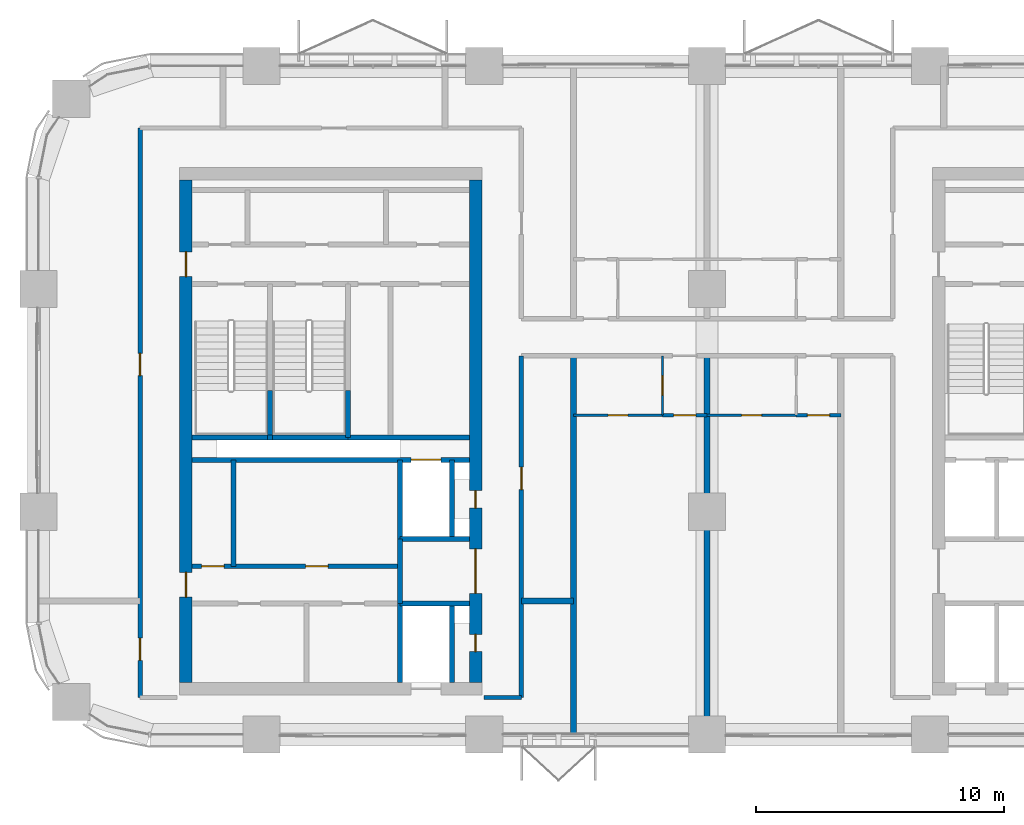
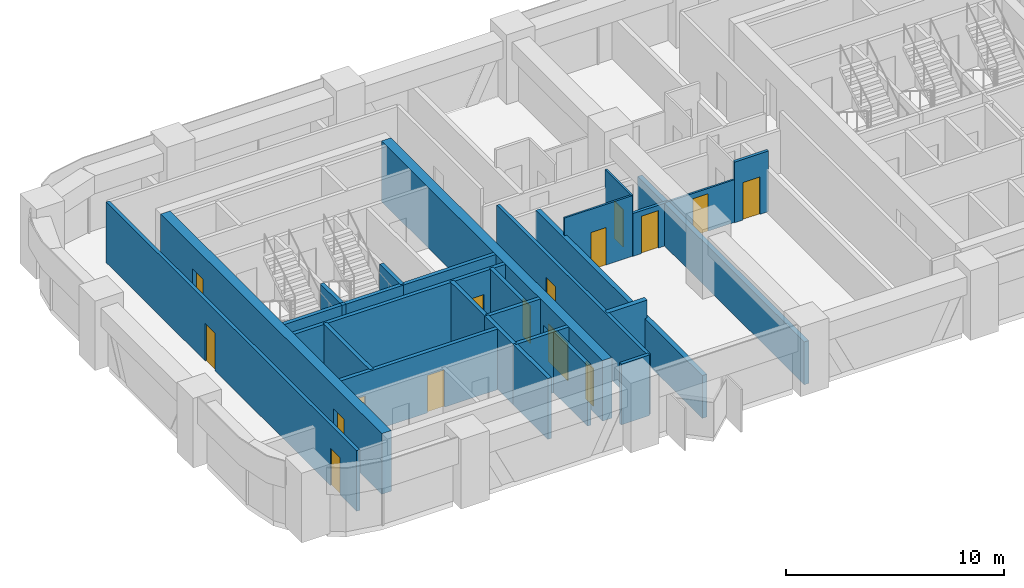
# One storey, part 8 of 14: 29 walls, 16 doors, 16 openings.
"""IFC4 building model written with IfcOpenShell, lengths in metres."""

import ifcopenshell
import ifcopenshell.guid

model = None  # the IFC model being written
_history = None  # IfcOwnerHistory: only IFC2X3 demands one
_inside = {}  # id of a spatial element -> (the spatial element, [elements in it])
_under = {}  # id of a project, library or spatial element -> (it, [spatial elements below it])
_declared = {}  # id of a project -> (the project, [libraries it declares])
_typed = {}  # id of a type object -> (the type object, [elements of that type])
_made_of = {}  # id of a material, layer set ... -> (it, [elements and type objects made of it])


def new_model(schema):
    """Start an empty IFC model of exactly this schema.

    Asked for "IFC4X3", IfcOpenShell would pick the latest addendum, in which some entities
    have other attributes; the version numbers below select the first issue.
    IFC2X3 requires an IfcOwnerHistory on every rooted entity: one is made here for all.
    """
    global model, _history
    if schema == "IFC4X3":
        model = ifcopenshell.file(schema_version=(4, 3, 0, 0))
    else:
        model = ifcopenshell.file(schema=schema)
    _inside.clear()
    _under.clear()
    _declared.clear()
    _typed.clear()
    _made_of.clear()
    _history = None
    if model.schema == "IFC2X3":
        org = make("IfcOrganization", Name="unknown")
        user = make(
            "IfcPersonAndOrganization",
            ThePerson=make("IfcPerson", FamilyName="unknown"),
            TheOrganization=org,
        )
        app = make(
            "IfcApplication",
            ApplicationDeveloper=org,
            Version="unknown",
            ApplicationFullName="unknown",
            ApplicationIdentifier="unknown",
        )
        _history = make(
            "IfcOwnerHistory",
            OwningUser=user,
            OwningApplication=app,
            ChangeAction="ADDED",
            CreationDate=0,
        )
    return model


def make(cls, **values):
    """One entity of the class cls with the attributes given. An attribute that is None is left unset."""
    return model.create_entity(
        cls, **{name: value for name, value in values.items() if value is not None}
    )


def rooted(cls, **values):
    """An entity with a GlobalId (a new one), such as an element, a storey or a relation."""
    return make(cls, GlobalId=ifcopenshell.guid.new(), OwnerHistory=_history, **values)


def si_unit(unit_type, name, prefix=None):
    """IfcSIUnit, for example si_unit("LENGTHUNIT", "METRE", prefix="MILLI")."""
    return make("IfcSIUnit", UnitType=unit_type, Prefix=prefix, Name=name)


def assignment(units):
    """IfcUnitAssignment: the units of a project."""
    return None if units is None else make("IfcUnitAssignment", Units=units)


def point(xyz):
    """IfcCartesianPoint."""
    return None if xyz is None else make("IfcCartesianPoint", Coordinates=xyz)


def direction(xyz):
    """IfcDirection."""
    return None if xyz is None else make("IfcDirection", DirectionRatios=xyz)


def frame(location, z_axis=None, x_axis=None):
    """IfcAxis2Placement3D, a coordinate frame: its origin and axes. An axis left out is left unset."""
    return make(
        "IfcAxis2Placement3D",
        Location=point(location),
        Axis=direction(z_axis),
        RefDirection=direction(x_axis),
    )


def frame_2d(location, x_axis=None):
    """IfcAxis2Placement2D, a coordinate frame in the plane: its origin and x axis."""
    return make(
        "IfcAxis2Placement2D", Location=point(location), RefDirection=direction(x_axis)
    )


def origin():
    """The frame at (0, 0, 0) with its axes left unset."""
    return frame((0.0, 0.0, 0.0))


def place(relative_to, where):
    """IfcLocalPlacement: puts the frame where relative to a parent placement (None: the world)."""
    return make(
        "IfcLocalPlacement", PlacementRelTo=relative_to, RelativePlacement=where
    )


def context(
    kind, dimensions, precision=None, world=None, true_north=None, identifier=None
):
    """IfcGeometricRepresentationContext, for example the 3D "Model" context."""
    return make(
        "IfcGeometricRepresentationContext",
        ContextIdentifier=identifier,
        ContextType=kind,
        CoordinateSpaceDimension=dimensions,
        Precision=precision,
        WorldCoordinateSystem=world,
        TrueNorth=true_north,
    )


def subcontext(parent, identifier, kind, view, scale=None):
    """IfcGeometricRepresentationSubContext, for example "Body" below "Model"."""
    return make(
        "IfcGeometricRepresentationSubContext",
        ContextIdentifier=identifier,
        ContextType=kind,
        ParentContext=parent,
        TargetScale=scale,
        TargetView=view,
    )


def project(units=None, contexts=None):
    """IfcProject with its units and contexts."""
    return rooted(
        "IfcProject",
        Name="project",
        RepresentationContexts=contexts,
        UnitsInContext=assignment(units),
    )


def spatial(cls, under=None, at=None, **own):
    """A site, building, storey or space (cls), placed at a placement, below another one or the project."""
    s = rooted(cls, ObjectPlacement=at, **own)
    if under is not None:
        _under.setdefault(under.id(), (under, []))[1].append(s)
    return s


def profile(cls, at=None, kind="AREA", **sizes):
    """A parametric profile (cls). Its sizes go by their IFC names, for example OverallWidth=200.0."""
    return make(cls, ProfileType=kind, Position=at, **sizes)


def rectangle(**sizes):
    """IfcRectangleProfileDef."""
    return profile("IfcRectangleProfileDef", **sizes)


def extrude(swept, where, along, depth):
    """IfcExtrudedAreaSolid: the profile swept, set in the frame where, extruded along a direction by depth."""
    return make(
        "IfcExtrudedAreaSolid",
        SweptArea=swept,
        Position=where,
        ExtrudedDirection=direction(along),
        Depth=depth,
    )


def shape(context_of_items, identifier, shape_type, items):
    """IfcShapeRepresentation: the items that make up one representation, for example the "Body"."""
    return make(
        "IfcShapeRepresentation",
        ContextOfItems=context_of_items,
        RepresentationIdentifier=identifier,
        RepresentationType=shape_type,
        Items=items,
    )


def material(Name=None, Category=None):
    """IfcMaterial."""
    return make("IfcMaterial", Name=Name, Category=Category)


def layer(
    of_material, thickness, ventilated=None, Name=None, Category=None, Priority=None
):
    """IfcMaterialLayer: one layer of a wall or slab, of a material (None: an air gap)."""
    return make(
        "IfcMaterialLayer",
        Material=of_material,
        LayerThickness=thickness,
        IsVentilated=ventilated,
        Name=Name,
        Category=Category,
        Priority=Priority,
    )


def layer_set(layers, Name=None):
    """IfcMaterialLayerSet."""
    return make("IfcMaterialLayerSet", MaterialLayers=layers, LayerSetName=Name)


def made_of(thing, what):
    """Note that an element or type object is made of a material, layer set ...; save() writes the relation."""
    if what is not None:
        _made_of.setdefault(what.id(), (what, []))[1].append(thing)
    return thing


def type_object(cls, material=None, **own):
    """A type object (cls), such as IfcWallType, which elements share."""
    return made_of(rooted(cls, **own), material)


def element(
    cls,
    number,
    at=None,
    inside=None,
    cuts=None,
    type_object=None,
    material=None,
    context=None,
    identifier="Body",
    shape_type=None,
    held_by="IfcProductDefinitionShape",
    body=None,
    shapes=None,
    **own,
):
    """One element of the class cls, such as IfcWall. Its Tag is "e" and its number.

    at: its placement. inside: the storey or other place that contains it. cuts: it is an
    opening in that element (IfcRelVoidsElement). A single representation is given by context,
    identifier, shape_type and body (its items); several are given by shapes. held_by: the class
    of the entity that holds the representations. save() writes the other relations.
    """
    e = rooted(cls, Tag="e%d" % number, ObjectPlacement=at, **own)
    if body is not None:
        shapes = [shape(context, identifier, shape_type, body)]
    if shapes is not None:
        e.Representation = make(held_by, Representations=shapes)
    if inside is not None:
        _inside.setdefault(inside.id(), (inside, []))[1].append(e)
    if cuts is not None:
        rooted(
            "IfcRelVoidsElement", RelatingBuildingElement=cuts, RelatedOpeningElement=e
        )
    if type_object is not None:
        _typed.setdefault(type_object.id(), (type_object, []))[1].append(e)
    return made_of(e, material)


def fill(opening, filler):
    """IfcRelFillsElement: the door or window that sits in an opening."""
    return rooted(
        "IfcRelFillsElement",
        RelatingOpeningElement=opening,
        RelatedBuildingElement=filler,
    )


def aggregate(whole, parts):
    """IfcRelAggregates: a whole, such as a stair, and the parts it consists of."""
    return rooted("IfcRelAggregates", RelatingObject=whole, RelatedObjects=parts)


def save(model, path):
    """Write the relations noted so far, then the file.

    IfcRelAggregates (storeys below a building ...), IfcRelContainedInSpatialStructure (elements
    in a storey), IfcRelDefinesByType, IfcRelAssociatesMaterial and IfcRelDeclares: one each for
    every whole, place, type object, material and project.
    """
    for whole, parts in _under.values():
        aggregate(whole, parts)
    for where, things in _inside.values():
        rooted(
            "IfcRelContainedInSpatialStructure",
            RelatedElements=things,
            RelatingStructure=where,
        )
    for kind, things in _typed.values():
        rooted("IfcRelDefinesByType", RelatedObjects=things, RelatingType=kind)
    for what, things in _made_of.values():
        rooted("IfcRelAssociatesMaterial", RelatedObjects=things, RelatingMaterial=what)
    for by, libraries in _declared.values():
        rooted("IfcRelDeclares", RelatingContext=by, RelatedDefinitions=libraries)
    model.write(path)


model = new_model("IFC4")

# Units and contexts
model_context = context("Model", 3, precision=1e-05, world=origin(), true_north=direction((0.0, 1.0)))
body_context = subcontext(model_context, "Body", "Model", "MODEL_VIEW")
ifc_project = project(units=[si_unit("LENGTHUNIT", "METRE"), si_unit("AREAUNIT", "SQUARE_METRE"), si_unit("VOLUMEUNIT", "CUBIC_METRE"), si_unit("PLANEANGLEUNIT", "RADIAN"), si_unit("MASSUNIT", "GRAM", prefix="KILO")], contexts=[model_context])

# Site, building, storey
site_placement = place(None, origin())
site = spatial("IfcSite", under=ifc_project, at=site_placement, CompositionType="ELEMENT")
building_placement = place(site_placement, origin())
building = spatial("IfcBuilding", under=site, at=building_placement, Name="Tessera Arch", CompositionType="ELEMENT")
storey_placement = place(building_placement, frame((0.0, 0.0, 193.39990234375)))
storey = spatial("IfcBuildingStorey", under=building, at=storey_placement, Name="L46", CompositionType="ELEMENT", Elevation=193.39990234375)

# Walls
ifc_material_1 = material(Name="Gypsum board on steel stud", Category="steel")
ifc_layer_1 = layer(ifc_material_1, 0.125)
ifc_layer_set_1 = layer_set([ifc_layer_1], Name="Core partition 125 EI 60")
wall_type_1 = type_object("IfcWallType", Name="Core partition 125 EI 60", PredefinedType="PARTITIONING", material=ifc_layer_set_1)
wall_1_placement = place(storey_placement, frame((7.8798828125, 33.800048828125, 0.0), z_axis=(0.0, 0.0, 1.0), x_axis=(0.0, 1.0, 0.0)))
element("IfcWall", 1, at=wall_1_placement, inside=storey, type_object=wall_type_1, Name="L46 C2 partition wall 1", PredefinedType="PARTITIONING", context=body_context, shape_type="SweptSolid", body=[
    extrude(rectangle(XDim=4.300048828125, YDim=0.199951171875, at=frame_2d((2.14990234375, 0.0))), origin(), (0.0, 0.0, 1.0), 3.400146484375),
])
wall_2_placement = place(storey_placement, frame((14.60009765625, 32.300048828125, 0.0), z_axis=(0.0, 0.0, 1.0), x_axis=(0.0, 1.0, 0.0)))
element("IfcWall", 2, at=wall_2_placement, inside=storey, type_object=wall_type_1, Name="L46 C2 partition wall 10", PredefinedType="PARTITIONING", context=body_context, shape_type="SweptSolid", body=[
    extrude(rectangle(XDim=2.599853515625, YDim=0.199951171875, at=frame_2d((1.2998046875, 0.0))), origin(), (0.0, 0.0, 1.0), 3.400146484375),
])

# Wall, openings, doors
wall_3_placement = place(storey_placement, frame((6.199951171875, 33.800048828125, 0.0), z_axis=(0.0, 0.0, 1.0), x_axis=(1.0, 0.0, 0.0)))
wall_3 = element("IfcWall", 3, at=wall_3_placement, inside=storey, type_object=wall_type_1, Name="L46 C2 partition wall 17", PredefinedType="PARTITIONING", context=body_context, shape_type="SweptSolid", body=[
    extrude(rectangle(XDim=8.400146484375, YDim=0.199951171875, at=frame_2d((4.2001953125, 0.0))), origin(), (0.0, 0.0, 1.0), 3.400146484375),
])
opening_1_placement = place(wall_3_placement, frame((0.389892578125, 0.0, 0.0)))
opening_1 = element("IfcOpeningElement", 4, at=opening_1_placement, cuts=wall_3, Name="Opening L46-C36", PredefinedType="OPENING", context=body_context, shape_type="SweptSolid", body=[
    extrude(rectangle(XDim=0.89990234375, YDim=2.10009765625, at=frame_2d((0.449951171875, 1.050048828125))), frame((0.0, 0.10986328125, 0.0), z_axis=(0.0, -1.0, 0.0), x_axis=(1.0, 0.0, 0.0)), (0.0, 0.0, 1.0), 0.219970703125),
])
opening_2_placement = place(wall_3_placement, frame((4.590087890625, 0.0, 0.0)))
opening_2 = element("IfcOpeningElement", 5, at=opening_2_placement, cuts=wall_3, Name="Opening L46-C37", PredefinedType="OPENING", context=body_context, shape_type="SweptSolid", body=[
    extrude(rectangle(XDim=0.89990234375, YDim=2.10009765625, at=frame_2d((0.449951171875, 1.050048828125))), frame((0.0, 0.10986328125, 0.0), z_axis=(0.0, -1.0, 0.0), x_axis=(1.0, 0.0, 0.0)), (0.0, 0.0, 1.0), 0.219970703125),
])
ifc_material_2 = material(Name="Steel door leaf", Category="steel")
door_type_1 = type_object("IfcDoorType", Name="Store door FD30S 900 x 2100", OperationType="SINGLE_SWING_LEFT", PredefinedType="DOOR", material=ifc_material_2)
door_1_placement = place(opening_1_placement, origin())
door_1 = element("IfcDoor", 6, at=door_1_placement, inside=storey, type_object=door_type_1, Name="L46 C2 door 17 C36 type D09", OperationType="SINGLE_SWING_LEFT", OverallHeight=2.10009765625, OverallWidth=0.89990234375, PredefinedType="DOOR", context=body_context, shape_type="SweptSolid", body=[
    extrude(rectangle(XDim=0.89990234375, YDim=2.10009765625, at=frame_2d((0.449951171875, 1.050048828125))), frame((0.0, 0.02490234375, 0.0), z_axis=(0.0, -1.0, 0.0), x_axis=(1.0, 0.0, 0.0)), (0.0, 0.0, 1.0), 0.050048828125),
])
fill(opening_1, door_1)
door_2_placement = place(opening_2_placement, origin())
door_2 = element("IfcDoor", 7, at=door_2_placement, inside=storey, type_object=door_type_1, Name="L46 C2 door 18 C37 type D09", OperationType="SINGLE_SWING_RIGHT", OverallHeight=2.10009765625, OverallWidth=0.89990234375, PredefinedType="DOOR", context=body_context, shape_type="SweptSolid", body=[
    extrude(rectangle(XDim=0.89990234375, YDim=2.10009765625, at=frame_2d((0.449951171875, 1.050048828125))), frame((0.0, 0.02490234375, 0.0), z_axis=(0.0, -1.0, 0.0), x_axis=(1.0, 0.0, 0.0)), (0.0, 0.0, 1.0), 0.050048828125),
])
fill(opening_2, door_2)

ifc_material_3 = material(Name="Concrete C60/75", Category="concrete")
ifc_layer_2 = layer(ifc_material_3, 0.5)
ifc_layer_set_2 = layer_set([ifc_layer_2], Name="Core shell wall 500 C60-75")
wall_type_2 = type_object("IfcWallType", Name="Core shell wall 500 C60-75", PredefinedType="SHEAR", material=ifc_layer_set_2)
wall_4_placement = place(storey_placement, frame((5.949951171875, 29.10009765625, 0.0), z_axis=(0.0, 0.0, 1.0), x_axis=(0.0, 1.0, 0.0)))
wall_4 = element("IfcWall", 8, at=wall_4_placement, inside=storey, type_object=wall_type_2, Name="L46 C2 core wall W", PredefinedType="SHEAR", context=body_context, shape_type="SweptSolid", body=[
    extrude(rectangle(XDim=20.2998046875, YDim=0.5, at=frame_2d((10.14990234375, 0.0))), origin(), (0.0, 0.0, 1.0), 3.400146484375),
])
opening_3_placement = place(wall_4_placement, frame((3.449951171875, 0.0, 0.0)))
opening_3 = element("IfcOpeningElement", 9, at=opening_3_placement, cuts=wall_4, Name="Opening L46-C27", PredefinedType="OPENING", context=body_context, shape_type="SweptSolid", body=[
    extrude(rectangle(XDim=1.0, YDim=2.10009765625, at=frame_2d((0.5, 1.050048828125))), frame((0.0, 0.260009765625, 0.0), z_axis=(0.0, -1.0, 0.0), x_axis=(1.0, 0.0, 0.0)), (0.0, 0.0, 1.0), 0.52001953125),
])
opening_4_placement = place(wall_4_placement, frame((16.39990234375, 0.0, 0.0)))
opening_4 = element("IfcOpeningElement", 10, at=opening_4_placement, cuts=wall_4, Name="Opening L46-C28", PredefinedType="OPENING", context=body_context, shape_type="SweptSolid", body=[
    extrude(rectangle(XDim=1.0, YDim=2.10009765625, at=frame_2d((0.5, 1.050048828125))), frame((0.0, 0.260009765625, 0.0), z_axis=(0.0, -1.0, 0.0), x_axis=(1.0, 0.0, 0.0)), (0.0, 0.0, 1.0), 0.52001953125),
])
ifc_material_4 = material(Name="Steel door leaf", Category="steel")
door_type_2 = type_object("IfcDoorType", Name="Corridor door FD60 1000 x 2100", OperationType="SINGLE_SWING_LEFT", PredefinedType="DOOR", material=ifc_material_4)
door_3_placement = place(opening_3_placement, origin())
door_3 = element("IfcDoor", 11, at=door_3_placement, inside=storey, type_object=door_type_2, Name="L46 C2 door 8 C27 type D12", OperationType="SINGLE_SWING_LEFT", OverallHeight=2.10009765625, OverallWidth=1.0, PredefinedType="DOOR", context=body_context, shape_type="SweptSolid", body=[
    extrude(rectangle(XDim=1.0, YDim=2.10009765625, at=frame_2d((0.5, 1.050048828125))), frame((0.0, 0.02490234375, 0.0), z_axis=(0.0, -1.0, 0.0), x_axis=(1.0, 0.0, 0.0)), (0.0, 0.0, 1.0), 0.050048828125),
])
fill(opening_3, door_3)
door_4_placement = place(opening_4_placement, origin())
door_4 = element("IfcDoor", 12, at=door_4_placement, inside=storey, type_object=door_type_2, Name="L46 C2 door 9 C28 type D12", OperationType="SINGLE_SWING_RIGHT", OverallHeight=2.10009765625, OverallWidth=1.0, PredefinedType="DOOR", context=body_context, shape_type="SweptSolid", body=[
    extrude(rectangle(XDim=1.0, YDim=2.10009765625, at=frame_2d((0.5, 1.050048828125))), frame((0.0, 0.02490234375, 0.0), z_axis=(0.0, -1.0, 0.0), x_axis=(1.0, 0.0, 0.0)), (0.0, 0.0, 1.0), 0.050048828125),
])
fill(opening_4, door_4)

wall_5_placement = place(storey_placement, frame((17.64990234375, 29.10009765625, 0.0), z_axis=(0.0, 0.0, 1.0), x_axis=(0.0, 1.0, 0.0)))
wall_5 = element("IfcWall", 13, at=wall_5_placement, inside=storey, type_object=wall_type_2, Name="L46 C2 core wall E", PredefinedType="SHEAR", context=body_context, shape_type="SweptSolid", body=[
    extrude(rectangle(XDim=20.2998046875, YDim=0.5, at=frame_2d((10.14990234375, 0.0))), origin(), (0.0, 0.0, 1.0), 3.400146484375),
])
opening_5_placement = place(wall_5_placement, frame((1.25, 0.0, 0.0)))
opening_5 = element("IfcOpeningElement", 14, at=opening_5_placement, cuts=wall_5, Name="Opening L46-C22", PredefinedType="OPENING", context=body_context, shape_type="SweptSolid", body=[
    extrude(rectangle(XDim=0.699951171875, YDim=2.10009765625, at=frame_2d((0.35009765625, 1.050048828125))), frame((0.0, 0.260009765625, 0.0), z_axis=(0.0, -1.0, 0.0), x_axis=(1.0, 0.0, 0.0)), (0.0, 0.0, 1.0), 0.52001953125),
])
opening_6_placement = place(wall_5_placement, frame((7.050048828125, 0.0, 0.0)))
opening_6 = element("IfcOpeningElement", 15, at=opening_6_placement, cuts=wall_5, Name="Opening L46-C23", PredefinedType="OPENING", context=body_context, shape_type="SweptSolid", body=[
    extrude(rectangle(XDim=0.699951171875, YDim=2.10009765625, at=frame_2d((0.35009765625, 1.050048828125))), frame((0.0, 0.260009765625, 0.0), z_axis=(0.0, -1.0, 0.0), x_axis=(1.0, 0.0, 0.0)), (0.0, 0.0, 1.0), 0.52001953125),
])
opening_7_placement = place(wall_5_placement, frame((3.60009765625, 0.0, 0.0)))
opening_7 = element("IfcOpeningElement", 16, at=opening_7_placement, cuts=wall_5, Name="Opening L46-C26", PredefinedType="OPENING", context=body_context, shape_type="SweptSolid", body=[
    extrude(rectangle(XDim=1.800048828125, YDim=2.10009765625, at=frame_2d((0.89990234375, 1.050048828125))), frame((0.0, 0.260009765625, 0.0), z_axis=(0.0, -1.0, 0.0), x_axis=(1.0, 0.0, 0.0)), (0.0, 0.0, 1.0), 0.52001953125),
])
ifc_material_5 = material(Name="Glazed steel door leaf", Category="steel")
door_type_3 = type_object("IfcDoorType", Name="Lobby double door FD30S 1800 x 2100", OperationType="DOUBLE_DOOR_SINGLE_SWING", PredefinedType="DOOR", material=ifc_material_5)
door_5_placement = place(opening_7_placement, origin())
door_5 = element("IfcDoor", 17, at=door_5_placement, inside=storey, type_object=door_type_3, Name="L46 C2 door 7 C26 type D06", OperationType="DOUBLE_DOOR_SINGLE_SWING", OverallHeight=2.10009765625, OverallWidth=1.800048828125, PredefinedType="DOOR", context=body_context, shape_type="SweptSolid", body=[
    extrude(rectangle(XDim=1.800048828125, YDim=2.10009765625, at=frame_2d((0.89990234375, 1.050048828125))), frame((0.0, 0.02490234375, 0.0), z_axis=(0.0, -1.0, 0.0), x_axis=(1.0, 0.0, 0.0)), (0.0, 0.0, 1.0), 0.050048828125),
])
fill(opening_7, door_5)
ifc_material_6 = material(Name="Steel door leaf", Category="steel")
door_type_4 = type_object("IfcDoorType", Name="Service shaft door FD60 700 x 2100", OperationType="SINGLE_SWING_LEFT", PredefinedType="DOOR", material=ifc_material_6)
door_6_placement = place(opening_5_placement, origin())
door_6 = element("IfcDoor", 18, at=door_6_placement, inside=storey, type_object=door_type_4, Name="L46 C2 door 3 C22 type D07", OperationType="SINGLE_SWING_LEFT", OverallHeight=2.10009765625, OverallWidth=0.699951171875, PredefinedType="DOOR", context=body_context, shape_type="SweptSolid", body=[
    extrude(rectangle(XDim=0.699951171875, YDim=2.10009765625, at=frame_2d((0.35009765625, 1.050048828125))), frame((0.0, 0.02490234375, 0.0), z_axis=(0.0, -1.0, 0.0), x_axis=(1.0, 0.0, 0.0)), (0.0, 0.0, 1.0), 0.050048828125),
])
fill(opening_5, door_6)
door_7_placement = place(opening_6_placement, origin())
door_7 = element("IfcDoor", 19, at=door_7_placement, inside=storey, type_object=door_type_4, Name="L46 C2 door 4 C23 type D07", OperationType="SINGLE_SWING_LEFT", OverallHeight=2.10009765625, OverallWidth=0.699951171875, PredefinedType="DOOR", context=body_context, shape_type="SweptSolid", body=[
    extrude(rectangle(XDim=0.699951171875, YDim=2.10009765625, at=frame_2d((0.35009765625, 1.050048828125))), frame((0.0, 0.02490234375, 0.0), z_axis=(0.0, -1.0, 0.0), x_axis=(1.0, 0.0, 0.0)), (0.0, 0.0, 1.0), 0.050048828125),
])
fill(opening_6, door_7)

# Wall
ifc_material_7 = material(Name="Gypsum board on deep steel stud with mineral wool", Category="steel")
ifc_layer_3 = layer(ifc_material_7, 0.175048828125)
ifc_layer_set_3 = layer_set([ifc_layer_3], Name="Corridor wall 175 EI 60")
wall_type_3 = type_object("IfcWallType", Name="Corridor wall 175 EI 60", PredefinedType="PARTITIONING", material=ifc_layer_set_3)
wall_6_placement = place(storey_placement, frame((18.0, 28.5, 0.0), z_axis=(0.0, 0.0, 1.0), x_axis=(1.0, 0.0, 0.0)))
element("IfcWall", 20, at=wall_6_placement, inside=storey, type_object=wall_type_3, Name="L46 partition 2", PredefinedType="PARTITIONING", context=body_context, shape_type="SweptSolid", body=[
    extrude(rectangle(XDim=1.5, YDim=0.175048828125, at=frame_2d((0.75, 0.0))), origin(), (0.0, 0.0, 1.0), 3.400146484375),
])

# Wall, openings, doors
wall_7_placement = place(storey_placement, frame((4.10009765625, 28.5, 0.0), z_axis=(0.0, 0.0, 1.0), x_axis=(0.0, 1.0, 0.0)))
wall_7 = element("IfcWall", 21, at=wall_7_placement, inside=storey, type_object=wall_type_3, Name="L46 partition 9", PredefinedType="PARTITIONING", context=body_context, shape_type="SweptSolid", body=[
    extrude(rectangle(XDim=23.0, YDim=0.175048828125, at=frame_2d((11.5, 0.0))), origin(), (0.0, 0.0, 1.0), 3.400146484375),
])
opening_8_placement = place(wall_7_placement, frame((1.5, 0.0, 0.0)))
opening_8 = element("IfcOpeningElement", 22, at=opening_8_placement, cuts=wall_7, Name="Opening L46-D001", PredefinedType="OPENING", context=body_context, shape_type="SweptSolid", body=[
    extrude(rectangle(XDim=0.89990234375, YDim=2.10009765625, at=frame_2d((0.449951171875, 1.050048828125))), frame((0.0, 0.097412109375, 0.0), z_axis=(0.0, -1.0, 0.0), x_axis=(1.0, 0.0, 0.0)), (0.0, 0.0, 1.0), 0.195068359375),
])
opening_9_placement = place(wall_7_placement, frame((13.0, 0.0, 0.0)))
opening_9 = element("IfcOpeningElement", 23, at=opening_9_placement, cuts=wall_7, Name="Opening L46-D012", PredefinedType="OPENING", context=body_context, shape_type="SweptSolid", body=[
    extrude(rectangle(XDim=0.89990234375, YDim=2.10009765625, at=frame_2d((0.449951171875, 1.050048828125))), frame((0.0, 0.097412109375, 0.0), z_axis=(0.0, -1.0, 0.0), x_axis=(1.0, 0.0, 0.0)), (0.0, 0.0, 1.0), 0.195068359375),
])
ifc_material_8 = material(Name="Timber door leaf", Category="wood")
door_type_5 = type_object("IfcDoorType", Name="Room door 900 x 2100", OperationType="SINGLE_SWING_LEFT", PredefinedType="DOOR", material=ifc_material_8)
door_8_placement = place(opening_8_placement, origin())
door_8 = element("IfcDoor", 24, at=door_8_placement, inside=storey, type_object=door_type_5, Name="L46 door D001 type D01", OperationType="SINGLE_SWING_LEFT", OverallHeight=2.10009765625, OverallWidth=0.89990234375, PredefinedType="DOOR", context=body_context, shape_type="SweptSolid", body=[
    extrude(rectangle(XDim=0.89990234375, YDim=2.10009765625, at=frame_2d((0.449951171875, 1.050048828125))), frame((0.0, 0.02490234375, 0.0), z_axis=(0.0, -1.0, 0.0), x_axis=(1.0, 0.0, 0.0)), (0.0, 0.0, 1.0), 0.050048828125),
])
fill(opening_8, door_8)
door_9_placement = place(opening_9_placement, origin())
door_9 = element("IfcDoor", 25, at=door_9_placement, inside=storey, type_object=door_type_5, Name="L46 door D012 type D01", OperationType="SINGLE_SWING_RIGHT", OverallHeight=2.10009765625, OverallWidth=0.89990234375, PredefinedType="DOOR", context=body_context, shape_type="SweptSolid", body=[
    extrude(rectangle(XDim=0.89990234375, YDim=2.10009765625, at=frame_2d((0.449951171875, 1.050048828125))), frame((0.0, 0.02490234375, 0.0), z_axis=(0.0, -1.0, 0.0), x_axis=(1.0, 0.0, 0.0)), (0.0, 0.0, 1.0), 0.050048828125),
])
fill(opening_9, door_9)

# Wall, opening, door
wall_8_placement = place(storey_placement, frame((19.5, 28.5, 0.0), z_axis=(0.0, 0.0, 1.0), x_axis=(0.0, 1.0, 0.0)))
wall_8 = element("IfcWall", 26, at=wall_8_placement, inside=storey, type_object=wall_type_3, Name="L46 partition 10", PredefinedType="PARTITIONING", context=body_context, shape_type="SweptSolid", body=[
    extrude(rectangle(XDim=13.800048828125, YDim=0.175048828125, at=frame_2d((6.89990234375, 0.0))), origin(), (0.0, 0.0, 1.0), 3.400146484375),
])
opening_10_placement = place(wall_8_placement, frame((8.39990234375, 0.0, 0.0)))
opening_10 = element("IfcOpeningElement", 27, at=opening_10_placement, cuts=wall_8, Name="Opening L46-D011", PredefinedType="OPENING", context=body_context, shape_type="SweptSolid", body=[
    extrude(rectangle(XDim=0.89990234375, YDim=2.10009765625, at=frame_2d((0.449951171875, 1.050048828125))), frame((0.0, 0.097412109375, 0.0), z_axis=(0.0, -1.0, 0.0), x_axis=(1.0, 0.0, 0.0)), (0.0, 0.0, 1.0), 0.195068359375),
])
door_10_placement = place(opening_10_placement, origin())
door_10 = element("IfcDoor", 28, at=door_10_placement, inside=storey, type_object=door_type_5, Name="L46 door D011 type D01", OperationType="SINGLE_SWING_RIGHT", OverallHeight=2.10009765625, OverallWidth=0.89990234375, PredefinedType="DOOR", context=body_context, shape_type="SweptSolid", body=[
    extrude(rectangle(XDim=0.89990234375, YDim=2.10009765625, at=frame_2d((0.449951171875, 1.050048828125))), frame((0.0, 0.02490234375, 0.0), z_axis=(0.0, -1.0, 0.0), x_axis=(1.0, 0.0, 0.0)), (0.0, 0.0, 1.0), 0.050048828125),
])
fill(opening_10, door_10)

ifc_material_9 = material(Name="Gypsum board on steel stud", Category="steel")
ifc_layer_4 = layer(ifc_material_9, 0.14990234375)
ifc_layer_set_4 = layer_set([ifc_layer_4], Name="Partition 150")
wall_type_4 = type_object("IfcWallType", Name="Partition 150", PredefinedType="PARTITIONING", material=ifc_layer_set_4)
wall_9_placement = place(storey_placement, frame((25.199951171875, 39.89990234375, 0.0), z_axis=(0.0, 0.0, 1.0), x_axis=(1.0, 0.0, 0.0)))
wall_9 = element("IfcWall", 29, at=wall_9_placement, inside=storey, type_object=wall_type_4, Name="L46 partition 15", PredefinedType="PARTITIONING", context=body_context, shape_type="SweptSolid", body=[
    extrude(rectangle(XDim=1.800048828125, YDim=0.14990234375, at=frame_2d((0.89990234375, 0.0))), origin(), (0.0, 0.0, 1.0), 2.400146484375),
])
opening_11_placement = place(wall_9_placement, frame((0.449951171875, 0.0, 0.0)))
opening_11 = element("IfcOpeningElement", 30, at=opening_11_placement, cuts=wall_9, Name="Opening L46-D008", PredefinedType="OPENING", context=body_context, shape_type="SweptSolid", body=[
    extrude(rectangle(XDim=0.89990234375, YDim=2.10009765625, at=frame_2d((0.449951171875, 1.050048828125))), frame((0.0, 0.0849609375, 0.0), z_axis=(0.0, -1.0, 0.0), x_axis=(1.0, 0.0, 0.0)), (0.0, 0.0, 1.0), 0.169921875),
])
door_11_placement = place(opening_11_placement, origin())
door_11 = element("IfcDoor", 31, at=door_11_placement, inside=storey, type_object=door_type_5, Name="L46 door D008 type D01", OperationType="SINGLE_SWING_RIGHT", OverallHeight=2.10009765625, OverallWidth=0.89990234375, PredefinedType="DOOR", context=body_context, shape_type="SweptSolid", body=[
    extrude(rectangle(XDim=0.89990234375, YDim=2.10009765625, at=frame_2d((0.449951171875, 1.050048828125))), frame((0.0, 0.02490234375, 0.0), z_axis=(0.0, -1.0, 0.0), x_axis=(1.0, 0.0, 0.0)), (0.0, 0.0, 1.0), 0.050048828125),
])
fill(opening_11, door_11)

wall_10_placement = place(storey_placement, frame((30.60009765625, 39.89990234375, 0.0), z_axis=(0.0, 0.0, 1.0), x_axis=(1.0, 0.0, 0.0)))
wall_10 = element("IfcWall", 32, at=wall_10_placement, inside=storey, type_object=wall_type_4, Name="L46 partition 16", PredefinedType="PARTITIONING", context=body_context, shape_type="SweptSolid", body=[
    extrude(rectangle(XDim=1.7998046875, YDim=0.14990234375, at=frame_2d((0.89990234375, 0.0))), origin(), (0.0, 0.0, 1.0), 3.400146484375),
])
opening_12_placement = place(wall_10_placement, frame((0.449951171875, 0.0, 0.0)))
opening_12 = element("IfcOpeningElement", 33, at=opening_12_placement, cuts=wall_10, Name="Opening L46-D004", PredefinedType="OPENING", context=body_context, shape_type="SweptSolid", body=[
    extrude(rectangle(XDim=0.89990234375, YDim=2.10009765625, at=frame_2d((0.449951171875, 1.050048828125))), frame((0.0, 0.0849609375, 0.0), z_axis=(0.0, -1.0, 0.0), x_axis=(1.0, 0.0, 0.0)), (0.0, 0.0, 1.0), 0.169921875),
])
door_12_placement = place(opening_12_placement, origin())
door_12 = element("IfcDoor", 34, at=door_12_placement, inside=storey, type_object=door_type_5, Name="L46 door D004 type D01", OperationType="SINGLE_SWING_LEFT", OverallHeight=2.10009765625, OverallWidth=0.89990234375, PredefinedType="DOOR", context=body_context, shape_type="SweptSolid", body=[
    extrude(rectangle(XDim=0.89990234375, YDim=2.10009765625, at=frame_2d((0.449951171875, 1.050048828125))), frame((0.0, 0.02490234375, 0.0), z_axis=(0.0, -1.0, 0.0), x_axis=(1.0, 0.0, 0.0)), (0.0, 0.0, 1.0), 0.050048828125),
])
fill(opening_12, door_12)

# Walls
ifc_material_10 = material(Name="Double gypsum board on twin steel stud with acoustic mineral wool", Category="steel")
ifc_layer_5 = layer(ifc_material_10, 0.25)
ifc_layer_set_5 = layer_set([ifc_layer_5], Name="Party wall 250 EI 60")
wall_type_5 = type_object("IfcWallType", Name="Party wall 250 EI 60", PredefinedType="PARTITIONING", material=ifc_layer_set_5)
wall_11_placement = place(storey_placement, frame((19.5, 32.39990234375, 0.0), z_axis=(0.0, 0.0, 1.0), x_axis=(1.0, 0.0, 0.0)))
element("IfcWall", 35, at=wall_11_placement, inside=storey, type_object=wall_type_5, Name="L46 partition 20", PredefinedType="PARTITIONING", context=body_context, shape_type="SweptSolid", body=[
    extrude(rectangle(XDim=2.10009765625, YDim=0.25, at=frame_2d((1.050048828125, 0.0))), origin(), (0.0, 0.0, 1.0), 3.400146484375),
])
for number, where, z_axis, x_axis, name in (
    (36, (21.60009765625, 27.0, 0.0), (0.0, 0.0, 1.0), (0.0, 1.0, 0.0), "L46 partition 24"),
    (37, (27.0, 27.0, 0.0), (0.0, 0.0, 1.0), (0.0, 1.0, 0.0), "L46 partition 26"),
):
    element("IfcWall", number, at=place(storey_placement, frame(where, z_axis=z_axis, x_axis=x_axis)), inside=storey, type_object=wall_type_5, Name=name, PredefinedType="PARTITIONING", context=body_context, shape_type="SweptSolid", body=[
        extrude(rectangle(XDim=15.300048828125, YDim=0.25, at=frame_2d((7.64990234375, 0.0))), origin(), (0.0, 0.0, 1.0), 2.400146484375),
    ])
ifc_material_11 = material(Name="Concrete C40/50", Category="concrete")
ifc_layer_6 = layer(ifc_material_11, 0.199951171875)
ifc_layer_set_6 = layer_set([ifc_layer_6], Name="Shaft wall 200 EI 120")
wall_type_6 = type_object("IfcWallType", Name="Shaft wall 200 EI 120", PredefinedType="SOLIDWALL", material=ifc_layer_set_6)
wall_12_placement = place(storey_placement, frame((14.60009765625, 29.10009765625, 0.0), z_axis=(0.0, 0.0, 1.0), x_axis=(0.0, 1.0, 0.0)))
element("IfcWall", 38, at=wall_12_placement, inside=storey, type_object=wall_type_6, Name="L46 C2 shaft wall 11", PredefinedType="SOLIDWALL", context=body_context, shape_type="SweptSolid", body=[
    extrude(rectangle(XDim=3.199951171875, YDim=0.199951171875, at=frame_2d((1.60009765625, 0.0))), origin(), (0.0, 0.0, 1.0), 3.400146484375),
])
wall_13_placement = place(storey_placement, frame((14.60009765625, 34.89990234375, 0.0), z_axis=(0.0, 0.0, 1.0), x_axis=(0.0, 1.0, 0.0)))
element("IfcWall", 39, at=wall_13_placement, inside=storey, type_object=wall_type_6, Name="L46 C2 shaft wall 12", PredefinedType="SOLIDWALL", context=body_context, shape_type="SweptSolid", body=[
    extrude(rectangle(XDim=3.2001953125, YDim=0.199951171875, at=frame_2d((1.60009765625, 0.0))), origin(), (0.0, 0.0, 1.0), 3.400146484375),
])
wall_14_placement = place(storey_placement, frame((16.699951171875, 29.10009765625, 0.0), z_axis=(0.0, 0.0, 1.0), x_axis=(0.0, 1.0, 0.0)))
element("IfcWall", 40, at=wall_14_placement, inside=storey, type_object=wall_type_6, Name="L46 C2 shaft wall 13", PredefinedType="SOLIDWALL", context=body_context, shape_type="SweptSolid", body=[
    extrude(rectangle(XDim=3.199951171875, YDim=0.199951171875, at=frame_2d((1.60009765625, 0.0))), origin(), (0.0, 0.0, 1.0), 3.400146484375),
])
wall_15_placement = place(storey_placement, frame((16.699951171875, 34.89990234375, 0.0), z_axis=(0.0, 0.0, 1.0), x_axis=(0.0, 1.0, 0.0)))
element("IfcWall", 41, at=wall_15_placement, inside=storey, type_object=wall_type_6, Name="L46 C2 shaft wall 14", PredefinedType="SOLIDWALL", context=body_context, shape_type="SweptSolid", body=[
    extrude(rectangle(XDim=3.2001953125, YDim=0.199951171875, at=frame_2d((1.60009765625, 0.0))), origin(), (0.0, 0.0, 1.0), 3.400146484375),
])
for number, where, z_axis, x_axis, name in (
    (42, (14.60009765625, 32.300048828125, 0.0), (0.0, 0.0, 1.0), (1.0, 0.0, 0.0), "L46 C2 shaft wall 16"),
    (43, (14.60009765625, 34.89990234375, 0.0), (0.0, 0.0, 1.0), (1.0, 0.0, 0.0), "L46 C2 shaft wall 18"),
):
    element("IfcWall", number, at=place(storey_placement, frame(where, z_axis=z_axis, x_axis=x_axis)), inside=storey, type_object=wall_type_6, Name=name, PredefinedType="SOLIDWALL", context=body_context, shape_type="SweptSolid", body=[
        extrude(rectangle(XDim=2.7998046875, YDim=0.199951171875, at=frame_2d((1.39990234375, 0.0))), origin(), (0.0, 0.0, 1.0), 3.400146484375),
    ])

# Wall, opening, door
wall_16_placement = place(storey_placement, frame((6.199951171875, 38.10009765625, 0.0), z_axis=(0.0, 0.0, 1.0), x_axis=(1.0, 0.0, 0.0)))
wall_16 = element("IfcWall", 44, at=wall_16_placement, inside=storey, type_object=wall_type_6, Name="L46 C2 shaft wall 19", PredefinedType="SOLIDWALL", context=body_context, shape_type="SweptSolid", body=[
    extrude(rectangle(XDim=11.199951171875, YDim=0.199951171875, at=frame_2d((5.60009765625, 0.0))), origin(), (0.0, 0.0, 1.0), 3.400146484375),
])
opening_13_placement = place(wall_16_placement, frame((8.85009765625, 0.0, 0.0)))
opening_13 = element("IfcOpeningElement", 45, at=opening_13_placement, cuts=wall_16, Name="Opening L46-C21", PredefinedType="OPENING", context=body_context, shape_type="SweptSolid", body=[
    extrude(rectangle(XDim=1.199951171875, YDim=2.10009765625, at=frame_2d((0.60009765625, 1.050048828125))), frame((0.0, 0.10986328125, 0.0), z_axis=(0.0, -1.0, 0.0), x_axis=(1.0, 0.0, 0.0)), (0.0, 0.0, 1.0), 0.219970703125),
])
ifc_material_12 = material(Name="Stainless steel AISI 304", Category="steel")
door_type_6 = type_object("IfcDoorType", Name="Sliding landing door 1200 x 2100", OperationType="SLIDING_TO_LEFT", PredefinedType="DOOR", material=ifc_material_12)
door_13_placement = place(opening_13_placement, origin())
door_13 = element("IfcDoor", 46, at=door_13_placement, inside=storey, type_object=door_type_6, Name="L46 HR8 lift landing door C21 type LD", OperationType="SLIDING_TO_LEFT", OverallHeight=2.10009765625, OverallWidth=1.199951171875, PredefinedType="DOOR", context=body_context, shape_type="SweptSolid", body=[
    extrude(rectangle(XDim=1.199951171875, YDim=2.10009765625, at=frame_2d((0.60009765625, 1.050048828125))), frame((0.0, 0.02490234375, 0.0), z_axis=(0.0, -1.0, 0.0), x_axis=(1.0, 0.0, 0.0)), (0.0, 0.0, 1.0), 0.050048828125),
])
fill(opening_13, door_13)

# Walls
wall_17_placement = place(storey_placement, frame((12.5, 39.0, 0.0), z_axis=(0.0, 0.0, 1.0), x_axis=(1.0, 0.0, 0.0)))
element("IfcWall", 47, at=wall_17_placement, inside=storey, type_object=wall_type_6, Name="L46 C2 shaft wall 20", PredefinedType="SOLIDWALL", context=body_context, shape_type="SweptSolid", body=[
    extrude(rectangle(XDim=4.89990234375, YDim=0.199951171875, at=frame_2d((2.449951171875, 0.0))), origin(), (0.0, 0.0, 1.0), 3.400146484375),
])
ifc_material_13 = material(Name="Concrete C40/50", Category="concrete")
ifc_layer_7 = layer(ifc_material_13, 0.199951171875)
ifc_layer_set_7 = layer_set([ifc_layer_7], Name="Stair well wall 200 REI 180")
wall_type_7 = type_object("IfcWallType", Name="Stair well wall 200 REI 180", PredefinedType="SOLIDWALL", material=ifc_layer_set_7)
for number, where, z_axis, x_axis, name in (
    (48, (9.35009765625, 39.0, 0.0), (0.0, 0.0, 1.0), (0.0, 1.0, 0.0), "L46 C2 shaft wall 3"),
    (49, (12.5, 39.0, 0.0), (0.0, 0.0, 1.0), (0.0, 1.0, 0.0), "L46 C2 shaft wall 6"),
):
    element("IfcWall", number, at=place(storey_placement, frame(where, z_axis=z_axis, x_axis=x_axis)), inside=storey, type_object=wall_type_7, Name=name, PredefinedType="SOLIDWALL", context=body_context, shape_type="SweptSolid", body=[
        extrude(rectangle(XDim=1.89990234375, YDim=0.199951171875, at=frame_2d((0.949951171875, 0.0))), origin(), (0.0, 0.0, 1.0), 3.400146484375),
    ])
wall_18_placement = place(storey_placement, frame((6.199951171875, 39.0, 0.0), z_axis=(0.0, 0.0, 1.0), x_axis=(1.0, 0.0, 0.0)))
element("IfcWall", 50, at=wall_18_placement, inside=storey, type_object=wall_type_7, Name="L46 C2 shaft wall 21", PredefinedType="SOLIDWALL", context=body_context, shape_type="SweptSolid", body=[
    extrude(rectangle(XDim=3.050048828125, YDim=0.199951171875, at=frame_2d((1.52490234375, 0.0))), origin(), (0.0, 0.0, 1.0), 3.400146484375),
])
wall_19_placement = place(storey_placement, frame((9.25, 39.0, 0.0), z_axis=(0.0, 0.0, 1.0), x_axis=(1.0, 0.0, 0.0)))
element("IfcWall", 51, at=wall_19_placement, inside=storey, type_object=wall_type_7, Name="L46 C2 shaft wall 22", PredefinedType="SOLIDWALL", context=body_context, shape_type="SweptSolid", body=[
    extrude(rectangle(XDim=0.199951171875, YDim=0.199951171875, at=frame_2d((0.10009765625, 0.0))), origin(), (0.0, 0.0, 1.0), 3.400146484375),
])
wall_20_placement = place(storey_placement, frame((9.449951171875, 39.0, 0.0), z_axis=(0.0, 0.0, 1.0), x_axis=(1.0, 0.0, 0.0)))
element("IfcWall", 52, at=wall_20_placement, inside=storey, type_object=wall_type_7, Name="L46 C2 shaft wall 23", PredefinedType="SOLIDWALL", context=body_context, shape_type="SweptSolid", body=[
    extrude(rectangle(XDim=3.050048828125, YDim=0.199951171875, at=frame_2d((1.52490234375, 0.0))), origin(), (0.0, 0.0, 1.0), 3.400146484375),
])

# Wall, opening, door
ifc_material_14 = material(Name="Moisture-resistant board on pre-plumbed steel stud", Category="steel")
ifc_layer_8 = layer(ifc_material_14, 0.10009765625)
ifc_layer_set_8 = layer_set([ifc_layer_8], Name="Wet wall 100")
wall_type_8 = type_object("IfcWallType", Name="Wet wall 100", PredefinedType="PARTITIONING", material=ifc_layer_set_8)
wall_21_placement = place(storey_placement, frame((21.60009765625, 39.89990234375, 0.0), z_axis=(0.0, 0.0, 1.0), x_axis=(1.0, 0.0, 0.0)))
wall_21 = element("IfcWall", 53, at=wall_21_placement, inside=storey, type_object=wall_type_8, Name="L46 partition 32", PredefinedType="PARTITIONING", context=body_context, shape_type="SweptSolid", body=[
    extrude(rectangle(XDim=3.599853515625, YDim=0.10009765625, at=frame_2d((1.7998046875, 0.0))), origin(), (0.0, 0.0, 1.0), 3.400146484375),
])
opening_14_placement = place(wall_21_placement, frame((1.39990234375, 0.0, 0.0)))
opening_14 = element("IfcOpeningElement", 54, at=opening_14_placement, cuts=wall_21, Name="Opening L46-D010", PredefinedType="OPENING", context=body_context, shape_type="SweptSolid", body=[
    extrude(rectangle(XDim=0.800048828125, YDim=2.10009765625, at=frame_2d((0.39990234375, 1.050048828125))), frame((0.0, 0.06005859375, 0.0), z_axis=(0.0, -1.0, 0.0), x_axis=(1.0, 0.0, 0.0)), (0.0, 0.0, 1.0), 0.1201171875),
])
ifc_material_15 = material(Name="Timber door leaf", Category="wood")
door_type_7 = type_object("IfcDoorType", Name="En-suite door 800 x 2100", OperationType="SINGLE_SWING_LEFT", PredefinedType="DOOR", material=ifc_material_15)
door_14_placement = place(opening_14_placement, origin())
door_14 = element("IfcDoor", 55, at=door_14_placement, inside=storey, type_object=door_type_7, Name="L46 door D010 type D02", OperationType="SINGLE_SWING_LEFT", OverallHeight=2.10009765625, OverallWidth=0.800048828125, PredefinedType="DOOR", context=body_context, shape_type="SweptSolid", body=[
    extrude(rectangle(XDim=0.800048828125, YDim=2.10009765625, at=frame_2d((0.39990234375, 1.050048828125))), frame((0.0, 0.02490234375, 0.0), z_axis=(0.0, -1.0, 0.0), x_axis=(1.0, 0.0, 0.0)), (0.0, 0.0, 1.0), 0.050048828125),
])
fill(opening_14, door_14)

wall_22_placement = place(storey_placement, frame((27.0, 39.89990234375, 0.0), z_axis=(0.0, 0.0, 1.0), x_axis=(1.0, 0.0, 0.0)))
wall_22 = element("IfcWall", 56, at=wall_22_placement, inside=storey, type_object=wall_type_8, Name="L46 partition 33", PredefinedType="PARTITIONING", context=body_context, shape_type="SweptSolid", body=[
    extrude(rectangle(XDim=3.60009765625, YDim=0.10009765625, at=frame_2d((1.800048828125, 0.0))), origin(), (0.0, 0.0, 1.0), 2.400146484375),
])
opening_15_placement = place(wall_22_placement, frame((1.39990234375, 0.0, 0.0)))
opening_15 = element("IfcOpeningElement", 57, at=opening_15_placement, cuts=wall_22, Name="Opening L46-D006", PredefinedType="OPENING", context=body_context, shape_type="SweptSolid", body=[
    extrude(rectangle(XDim=0.800048828125, YDim=2.10009765625, at=frame_2d((0.39990234375, 1.050048828125))), frame((0.0, 0.06005859375, 0.0), z_axis=(0.0, -1.0, 0.0), x_axis=(1.0, 0.0, 0.0)), (0.0, 0.0, 1.0), 0.1201171875),
])
door_15_placement = place(opening_15_placement, origin())
door_15 = element("IfcDoor", 58, at=door_15_placement, inside=storey, type_object=door_type_7, Name="L46 door D006 type D02", OperationType="SINGLE_SWING_RIGHT", OverallHeight=2.10009765625, OverallWidth=0.800048828125, PredefinedType="DOOR", context=body_context, shape_type="SweptSolid", body=[
    extrude(rectangle(XDim=0.800048828125, YDim=2.10009765625, at=frame_2d((0.39990234375, 1.050048828125))), frame((0.0, 0.02490234375, 0.0), z_axis=(0.0, -1.0, 0.0), x_axis=(1.0, 0.0, 0.0)), (0.0, 0.0, 1.0), 0.050048828125),
])
fill(opening_15, door_15)

wall_23_placement = place(storey_placement, frame((25.199951171875, 39.89990234375, 0.0), z_axis=(0.0, 0.0, 1.0), x_axis=(0.0, 1.0, 0.0)))
wall_23 = element("IfcWall", 59, at=wall_23_placement, inside=storey, type_object=wall_type_8, Name="L46 partition 36", PredefinedType="PARTITIONING", context=body_context, shape_type="SweptSolid", body=[
    extrude(rectangle(XDim=2.400146484375, YDim=0.10009765625, at=frame_2d((1.2001953125, 0.0))), origin(), (0.0, 0.0, 1.0), 3.400146484375),
])
opening_16_placement = place(wall_23_placement, frame((0.800048828125, 0.0, 0.0)))
opening_16 = element("IfcOpeningElement", 60, at=opening_16_placement, cuts=wall_23, Name="Opening L46-D009", PredefinedType="OPENING", context=body_context, shape_type="SweptSolid", body=[
    extrude(rectangle(XDim=0.800048828125, YDim=2.10009765625, at=frame_2d((0.39990234375, 1.050048828125))), frame((0.0, 0.06005859375, 0.0), z_axis=(0.0, -1.0, 0.0), x_axis=(1.0, 0.0, 0.0)), (0.0, 0.0, 1.0), 0.1201171875),
])
door_16_placement = place(opening_16_placement, origin())
door_16 = element("IfcDoor", 61, at=door_16_placement, inside=storey, type_object=door_type_7, Name="L46 door D009 type D02", OperationType="SINGLE_SWING_RIGHT", OverallHeight=2.10009765625, OverallWidth=0.800048828125, PredefinedType="DOOR", context=body_context, shape_type="SweptSolid", body=[
    extrude(rectangle(XDim=0.800048828125, YDim=2.10009765625, at=frame_2d((0.39990234375, 1.050048828125))), frame((0.0, 0.02490234375, 0.0), z_axis=(0.0, -1.0, 0.0), x_axis=(1.0, 0.0, 0.0)), (0.0, 0.0, 1.0), 0.050048828125),
])
fill(opening_16, door_16)

save(model, "model.ifc")
